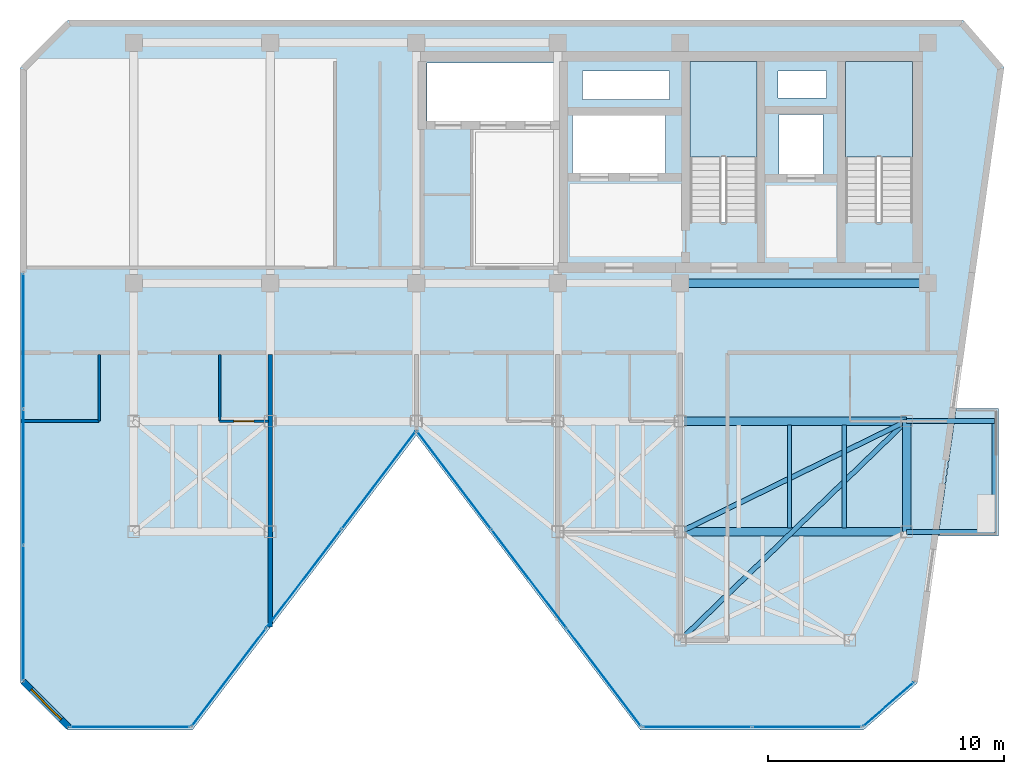
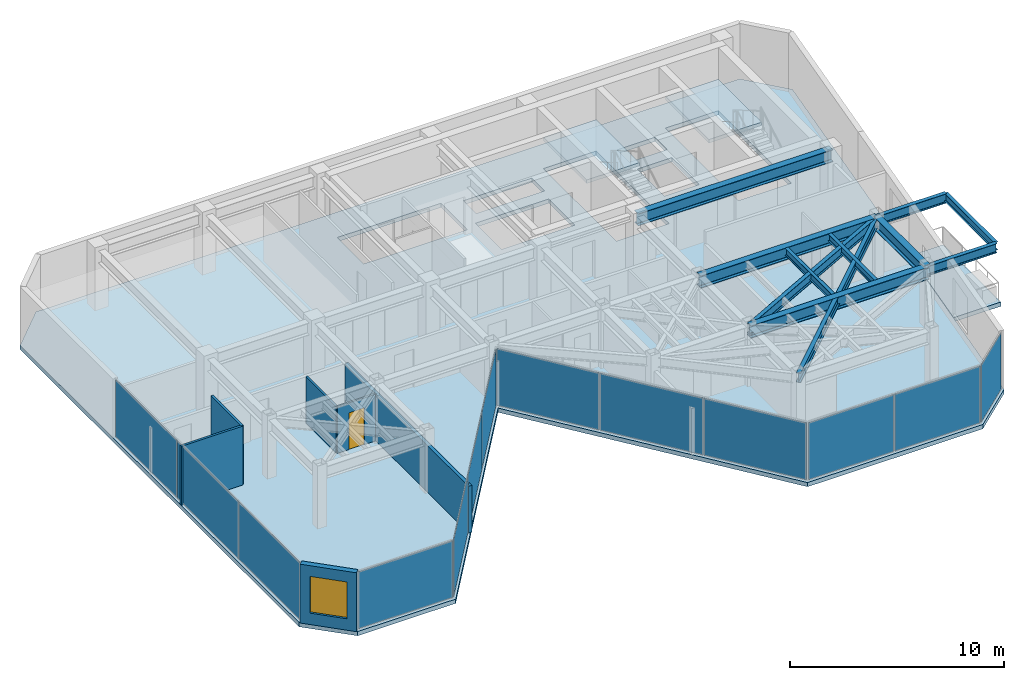
# One storey, part 14 of 19: 13 plates, 11 beams, 6 walls, 4 slabs, 1 door, 1 window, 2 openings, 8 elements without a shape of their own.
"""IFC4 building model written with IfcOpenShell, lengths in metres."""

from ifc_helpers import new_model, si_unit, direction, frame, frame_2d, origin, origin_2d, place, context, subcontext, project, spatial, polyline, rectangle, i_section, outline, extrude, material, layer, layer_set, material_profile, profile_set, type_object, element, fill, aggregate, save


model = new_model("IFC4")

# Units and contexts
model_context = context("Model", 3, precision=1e-05, world=origin(), true_north=direction((0.0, 1.0)))
body_context = subcontext(model_context, "Body", "Model", "MODEL_VIEW")
ifc_project = project(units=[si_unit("LENGTHUNIT", "METRE"), si_unit("AREAUNIT", "SQUARE_METRE"), si_unit("VOLUMEUNIT", "CUBIC_METRE"), si_unit("PLANEANGLEUNIT", "RADIAN"), si_unit("MASSUNIT", "GRAM", prefix="KILO")], contexts=[model_context])

# Site, building, storey
site_placement = place(None, origin())
site = spatial("IfcSite", under=ifc_project, at=site_placement, CompositionType="ELEMENT")
building_placement = place(site_placement, origin())
building = spatial("IfcBuilding", under=site, at=building_placement, Name="Kravanh Interchange Tower", CompositionType="ELEMENT")
storey_placement = place(building_placement, frame((0.0, 0.0, 270.60009765625)))
storey = spatial("IfcBuildingStorey", under=building, at=storey_placement, Name="L66", CompositionType="ELEMENT", Elevation=270.60009765625)

# Beams
ifc_material_1 = material(Name="Structural Steel S355", Category="steel")
ifc_material_profile_1 = material_profile(ifc_material_1, i_section(OverallWidth=0.35498046875, OverallDepth=0.696044921875, WebThickness=0.015380859375, FlangeThickness=0.02490234375, FilletRadius=0.02392578125, at=origin_2d()), Name="W27X146")
ifc_profile_set_1 = profile_set([ifc_material_profile_1], Name="Structural Steel S355")
beam_type_1 = type_object("IfcBeamType", Name="Floor Beam W27X146 Structural Steel S355", PredefinedType="BEAM", material=ifc_profile_set_1)
beam_1_placement = place(storey_placement, frame((56.0, 31.5, 3.011962890625), z_axis=(1.0, 0.0, 0.0), x_axis=(0.0, 1.0, 0.0)))
element("IfcBeam", 1, at=beam_1_placement, inside=storey, type_object=beam_type_1, Name="L66 Primary Floor Girder 12", PredefinedType="BEAM", context=body_context, shape_type="SweptSolid", body=[
    extrude(i_section(OverallWidth=0.35498046875, OverallDepth=0.696044921875, WebThickness=0.015380859375, FlangeThickness=0.02490234375, FilletRadius=0.02392578125, at=origin_2d()), origin(), (0.0, 0.0, 1.0), 9.60009765625),
])
beam_2_placement = place(storey_placement, frame((65.60009765625, 31.5, 3.011962890625), z_axis=(0.0, -1.0, 0.0), x_axis=(1.0, 0.0, 0.0)))
element("IfcBeam", 2, at=beam_2_placement, inside=storey, type_object=beam_type_1, Name="L66 Primary Floor Girder 13", PredefinedType="BEAM", context=body_context, shape_type="SweptSolid", body=[
    extrude(i_section(OverallWidth=0.35498046875, OverallDepth=0.696044921875, WebThickness=0.015380859375, FlangeThickness=0.02490234375, FilletRadius=0.02392578125, at=origin_2d()), origin(), (0.0, 0.0, 1.0), 4.699951171875),
])
beam_3_placement = place(storey_placement, frame((56.0, 26.800048828125, 3.011962890625), z_axis=(1.0, 0.0, 0.0), x_axis=(0.0, 1.0, 0.0)))
element("IfcBeam", 3, at=beam_3_placement, inside=storey, type_object=beam_type_1, Name="L66 Primary Floor Girder 30", PredefinedType="BEAM", context=body_context, shape_type="SweptSolid", body=[
    extrude(i_section(OverallWidth=0.35498046875, OverallDepth=0.696044921875, WebThickness=0.015380859375, FlangeThickness=0.02490234375, FilletRadius=0.02392578125, at=origin_2d()), origin(), (0.0, 0.0, 1.0), 9.60009765625),
])
beam_4_placement = place(storey_placement, frame((66.5, 37.35009765625, 3.011962890625), z_axis=(-1.0, 0.0, 0.0), x_axis=(0.0, -1.0, 0.0)))
element("IfcBeam", 4, at=beam_4_placement, inside=storey, type_object=beam_type_1, Name="L66 Primary Floor Girder 38", PredefinedType="BEAM", context=body_context, shape_type="SweptSolid", body=[
    extrude(i_section(OverallWidth=0.35498046875, OverallDepth=0.696044921875, WebThickness=0.015380859375, FlangeThickness=0.02490234375, FilletRadius=0.02392578125, at=origin_2d()), origin(), (0.0, 0.0, 1.0), 10.5),
])
ifc_material_2 = material(Name="Structural Steel S355", Category="steel")
ifc_material_profile_2 = material_profile(ifc_material_2, i_section(OverallWidth=0.177978515625, OverallDepth=0.406005859375, WebThickness=0.0078125, FlangeThickness=0.0126953125, FilletRadius=0.01611328125, at=origin_2d()), Name="W16X40")
ifc_profile_set_2 = profile_set([ifc_material_profile_2], Name="Structural Steel S355")
beam_type_2 = type_object("IfcBeamType", Name="Floor Joist W16X40 Structural Steel S355", PredefinedType="JOIST", material=ifc_profile_set_2)
for number, where, z_axis, x_axis, name in (
    (5, (60.634033203125, 26.972412109375, 3.156982421875), (0.0, 1.0, 0.0), (-1.0, 0.0, 0.0), "L66 Secondary Floor Joist 11"),
    (6, (62.9580078125, 26.972412109375, 3.156982421875), (0.0, 1.0, 0.0), (-1.0, 0.0, 0.0), "L66 Secondary Floor Joist 12"),
):
    element("IfcBeam", number, at=place(storey_placement, frame(where, z_axis=z_axis, x_axis=x_axis)), inside=storey, type_object=beam_type_2, Name=name, PredefinedType="JOIST", context=body_context, shape_type="SweptSolid", body=[
        extrude(i_section(OverallWidth=0.177978515625, OverallDepth=0.406005859375, WebThickness=0.0078125, FlangeThickness=0.0126953125, FilletRadius=0.01611328125, at=origin_2d()), origin(), (0.0, 0.0, 1.0), 4.35498046875),
    ])
ifc_material_3 = material(Name="Structural Steel S355", Category="steel")
ifc_material_profile_3 = material_profile(ifc_material_3, i_section(OverallWidth=0.18994140625, OverallDepth=0.45703125, WebThickness=0.009033203125, FlangeThickness=0.014404296875, FilletRadius=0.01806640625, at=origin_2d()), Name="W18X50")
ifc_profile_set_3 = profile_set([ifc_material_profile_3], Name="Structural Steel S355")
beam_type_3 = type_object("IfcBeamType", Name="Floor Joist W18X50 Structural Steel S355", PredefinedType="JOIST", material=ifc_profile_set_3)
beam_5_placement = place(storey_placement, frame((69.330078125, 26.800048828125, 3.13134765625), z_axis=(0.0, 1.0, 0.0), x_axis=(-1.0, 0.0, 0.0)))
element("IfcBeam", 7, at=beam_5_placement, inside=storey, type_object=beam_type_3, Name="L66 Balcony Edge Tie Beam E", PredefinedType="JOIST", context=body_context, shape_type="SweptSolid", body=[
    extrude(i_section(OverallWidth=0.18994140625, OverallDepth=0.45703125, WebThickness=0.009033203125, FlangeThickness=0.014404296875, FilletRadius=0.01806640625, at=origin_2d()), origin(), (0.0, 0.0, 1.0), 4.699951171875),
])
ifc_material_4 = material(Name="Structural Steel S355", Category="steel")
ifc_material_profile_4 = material_profile(ifc_material_4, i_section(OverallWidth=0.2099609375, OverallDepth=0.537109375, WebThickness=0.010986328125, FlangeThickness=0.017333984375, FilletRadius=0.02001953125, at=origin_2d()), Name="W21X68")
ifc_profile_set_4 = profile_set([ifc_material_profile_4], Name="Structural Steel S355")
beam_type_4 = type_object("IfcBeamType", Name="Floor Spandrel W21X68 Structural Steel S355", PredefinedType="SPANDREL", material=ifc_profile_set_4)
beam_6_placement = place(storey_placement, frame((65.60009765625, 31.5, 3.09130859375), z_axis=(-0.898141688387, -0.439706160499, 0.0), x_axis=(0.439706160499, -0.898141688387, 0.0)))
element("IfcBeam", 8, at=beam_6_placement, inside=storey, type_object=beam_type_4, Name="L66 Perimeter Spandrel 15", PredefinedType="SPANDREL", context=body_context, shape_type="SweptSolid", body=[
    extrude(i_section(OverallWidth=0.2099609375, OverallDepth=0.537109375, WebThickness=0.010986328125, FlangeThickness=0.017333984375, FilletRadius=0.02001953125, at=origin_2d()), origin(), (0.0, 0.0, 1.0), 10.68896484375),
])
beam_7_placement = place(storey_placement, frame((65.60009765625, 31.5, 3.09130859375), z_axis=(-0.718241934329, -0.695793449072, 0.0), x_axis=(0.695793449072, -0.718241934329, 0.0)))
element("IfcBeam", 9, at=beam_7_placement, inside=storey, type_object=beam_type_4, Name="L66 Perimeter Spandrel 16", PredefinedType="SPANDREL", context=body_context, shape_type="SweptSolid", body=[
    extrude(i_section(OverallWidth=0.2099609375, OverallDepth=0.537109375, WebThickness=0.010986328125, FlangeThickness=0.017333984375, FilletRadius=0.02001953125, at=origin_2d()), origin(), (0.0, 0.0, 1.0), 13.3662109375),
])
for number, where, z_axis, x_axis, name in (
    (10, (65.60009765625, 26.800048828125, 3.09130859375), (1.0, 0.0, 0.0), (0.0, 1.0, 0.0), "L66 Balcony Cantilever Outrigger E1"),
    (11, (65.60009765625, 31.5, 3.09130859375), (1.0, 0.0, 0.0), (0.0, 1.0, 0.0), "L66 Balcony Cantilever Outrigger E2"),
):
    element("IfcBeam", number, at=place(storey_placement, frame(where, z_axis=z_axis, x_axis=x_axis)), inside=storey, type_object=beam_type_4, Name=name, PredefinedType="SPANDREL", context=body_context, shape_type="SweptSolid", body=[
        extrude(i_section(OverallWidth=0.2099609375, OverallDepth=0.537109375, WebThickness=0.010986328125, FlangeThickness=0.017333984375, FilletRadius=0.02001953125, at=origin_2d()), origin(), (0.0, 0.0, 1.0), 3.72998046875),
    ])

# Curtain wall, plates
ifc_material_5 = material(Name="Anodised Bronze Aluminium", Category="aluminium")
ifc_layer_1 = layer(ifc_material_5, 0.179931640625)
ifc_layer_set_1 = layer_set([ifc_layer_1], Name="Unitised Curtain Wall System CW-HTL Luxury Hotel")
curtain_wall_type = type_object("IfcCurtainWallType", Name="Unitised Curtain Wall System CW-HTL Luxury Hotel", PredefinedType="NOTDEFINED", material=ifc_layer_set_1)
curtain_wall_1_placement = place(storey_placement, origin())
curtain_wall_1 = element("IfcCurtainWall", 12, at=curtain_wall_1_placement, inside=storey, type_object=curtain_wall_type, Name="L66 Unitised Curtain Wall CW-L66-01", PredefinedType="NOTDEFINED")
ifc_material_6 = material(Name="Low-E Laminated Architectural Glass", Category="glass")
ifc_layer_2 = layer(ifc_material_6, 0.030029296875)
ifc_layer_set_2 = layer_set([ifc_layer_2], Name="Acoustic Laminated Glazing 30mm")
plate_type = type_object("IfcPlateType", Name="Acoustic Laminated Glazing 30mm", PredefinedType="CURTAIN_PANEL", material=ifc_layer_set_2)
plate_1_placement = place(storey_placement, frame((28.1201171875, 23.3564453125, 0.06005859375), z_axis=(0.0, 0.0, 1.0), x_axis=(0.0, 1.0, 0.0)))
plate_1 = element("IfcPlate", 13, at=plate_1_placement, type_object=plate_type, Name="CW-HTL panel 1.1", PredefinedType="CURTAIN_PANEL", context=body_context, shape_type="SweptSolid", body=[
    extrude(rectangle(XDim=5.693359375, YDim=0.030029296875, at=origin_2d()), origin(), (0.0, 0.0, 1.0), 3.239990234375),
])
plate_2_placement = place(storey_placement, frame((28.1201171875, 29.124755859375, 0.06005859375), z_axis=(0.0, 0.0, 1.0), x_axis=(0.0, 1.0, 0.0)))
plate_2 = element("IfcPlate", 14, at=plate_2_placement, type_object=plate_type, Name="CW-HTL panel 2.1", PredefinedType="CURTAIN_PANEL", context=body_context, shape_type="SweptSolid", body=[
    extrude(rectangle(XDim=5.723388671875, YDim=0.030029296875, at=origin_2d()), origin(), (0.0, 0.0, 1.0), 3.239990234375),
])
plate_3_placement = place(storey_placement, frame((28.1201171875, 34.893310546875, 0.06005859375), z_axis=(0.0, 0.0, 1.0), x_axis=(0.0, 1.0, 0.0)))
plate_3 = element("IfcPlate", 15, at=plate_3_placement, type_object=plate_type, Name="CW-HTL panel 3.1", PredefinedType="CURTAIN_PANEL", context=body_context, shape_type="SweptSolid", body=[
    extrude(rectangle(XDim=5.693359375, YDim=0.030029296875, at=origin_2d()), origin(), (0.0, 0.0, 1.0), 3.239990234375),
])
aggregate(curtain_wall_1, [plate_1, plate_2, plate_3])

# Curtain wall, plate
curtain_wall_2_placement = place(storey_placement, origin())
curtain_wall_2 = element("IfcCurtainWall", 16, at=curtain_wall_2_placement, inside=storey, type_object=curtain_wall_type, Name="L66 Unitised Curtain Wall CW-L66-02", PredefinedType="NOTDEFINED")
plate_4_placement = place(storey_placement, frame((64.830078125, 19.480712890625, 0.06005859375), z_axis=(0.0, 0.0, 1.0), x_axis=(-0.75473192521, -0.656033323139, 0.0)))
plate_4 = element("IfcPlate", 17, at=plate_4_placement, type_object=plate_type, Name="CW-HTL panel 1.1", PredefinedType="CURTAIN_PANEL", context=body_context, shape_type="SweptSolid", body=[
    extrude(rectangle(XDim=2.80908203125, YDim=0.030029296875, at=origin_2d()), origin(), (0.0, 0.0, 1.0), 3.239990234375),
])
aggregate(curtain_wall_2, [plate_4])

# Curtain wall, plates
curtain_wall_3_placement = place(storey_placement, origin())
curtain_wall_3 = element("IfcCurtainWall", 18, at=curtain_wall_3_placement, inside=storey, type_object=curtain_wall_type, Name="L66 Unitised Curtain Wall CW-L66-03", PredefinedType="NOTDEFINED")
plate_5_placement = place(storey_placement, frame((61.368408203125, 18.52001953125, 0.06005859375), z_axis=(0.0, 0.0, 1.0), x_axis=(-1.0, 0.0, 0.0)))
plate_5 = element("IfcPlate", 19, at=plate_5_placement, type_object=plate_type, Name="CW-HTL panel 1.1", PredefinedType="CURTAIN_PANEL", context=body_context, shape_type="SweptSolid", body=[
    extrude(rectangle(XDim=4.592529296875, YDim=0.030029296875, at=origin_2d()), origin(), (0.0, 0.0, 1.0), 3.239990234375),
])
plate_6_placement = place(storey_placement, frame((56.7158203125, 18.52001953125, 0.06005859375), z_axis=(0.0, 0.0, 1.0), x_axis=(-1.0, 0.0, 0.0)))
plate_6 = element("IfcPlate", 20, at=plate_6_placement, type_object=plate_type, Name="CW-HTL panel 2.1", PredefinedType="CURTAIN_PANEL", context=body_context, shape_type="SweptSolid", body=[
    extrude(rectangle(XDim=4.592529296875, YDim=0.030029296875, at=origin_2d()), origin(), (0.0, 0.0, 1.0), 3.239990234375),
])
aggregate(curtain_wall_3, [plate_5, plate_6])

curtain_wall_4_placement = place(storey_placement, origin())
curtain_wall_4 = element("IfcCurtainWall", 21, at=curtain_wall_4_placement, inside=storey, type_object=curtain_wall_type, Name="L66 Unitised Curtain Wall CW-L66-04", PredefinedType="NOTDEFINED")
plate_7_placement = place(storey_placement, frame((52.757080078125, 20.62841796875, 0.06005859375), z_axis=(0.0, 0.0, 1.0), x_axis=(-0.605082946564, 0.79616243806, 0.0)))
plate_7 = element("IfcPlate", 22, at=plate_7_placement, type_object=plate_type, Name="CW-HTL panel 1.1", PredefinedType="CURTAIN_PANEL", context=body_context, shape_type="SweptSolid", body=[
    extrude(rectangle(XDim=5.17626953125, YDim=0.030029296875, at=origin_2d()), origin(), (0.0, 0.0, 1.0), 3.239990234375),
])
plate_8_placement = place(storey_placement, frame((49.579833984375, 24.80908203125, 0.06005859375), z_axis=(0.0, 0.0, 1.0), x_axis=(-0.605082946564, 0.79616243806, 0.0)))
plate_8 = element("IfcPlate", 23, at=plate_8_placement, type_object=plate_type, Name="CW-HTL panel 2.1", PredefinedType="CURTAIN_PANEL", context=body_context, shape_type="SweptSolid", body=[
    extrude(rectangle(XDim=5.206298828125, YDim=0.030029296875, at=origin_2d()), origin(), (0.0, 0.0, 1.0), 3.239990234375),
])
plate_9_placement = place(storey_placement, frame((46.40234375, 28.989990234375, 0.06005859375), z_axis=(0.0, 0.0, 1.0), x_axis=(-0.605082946564, 0.79616243806, 0.0)))
plate_9 = element("IfcPlate", 24, at=plate_9_placement, type_object=plate_type, Name="CW-HTL panel 3.1", PredefinedType="CURTAIN_PANEL", context=body_context, shape_type="SweptSolid", body=[
    extrude(rectangle(XDim=5.17626953125, YDim=0.030029296875, at=origin_2d()), origin(), (0.0, 0.0, 1.0), 3.239990234375),
])
aggregate(curtain_wall_4, [plate_7, plate_8, plate_9])

curtain_wall_5_placement = place(storey_placement, origin())
curtain_wall_5 = element("IfcCurtainWall", 25, at=curtain_wall_5_placement, inside=storey, type_object=curtain_wall_type, Name="L66 Unitised Curtain Wall CW-L66-05", PredefinedType="NOTDEFINED")
plate_10_placement = place(storey_placement, frame((43.19775390625, 28.989990234375, 0.06005859375), z_axis=(0.0, 0.0, 1.0), x_axis=(-0.605082946564, -0.79616243806, 0.0)))
plate_10 = element("IfcPlate", 26, at=plate_10_placement, type_object=plate_type, Name="CW-HTL panel 1.1", PredefinedType="CURTAIN_PANEL", context=body_context, shape_type="SweptSolid", body=[
    extrude(rectangle(XDim=5.17626953125, YDim=0.030029296875, at=origin_2d()), origin(), (0.0, 0.0, 1.0), 3.239990234375),
])
plate_11_placement = place(storey_placement, frame((40.020263671875, 24.80908203125, 0.06005859375), z_axis=(0.0, 0.0, 1.0), x_axis=(-0.605082946564, -0.79616243806, 0.0)))
plate_11 = element("IfcPlate", 27, at=plate_11_placement, type_object=plate_type, Name="CW-HTL panel 2.1", PredefinedType="CURTAIN_PANEL", context=body_context, shape_type="SweptSolid", body=[
    extrude(rectangle(XDim=5.206298828125, YDim=0.030029296875, at=origin_2d()), origin(), (0.0, 0.0, 1.0), 3.239990234375),
])
plate_12_placement = place(storey_placement, frame((36.8427734375, 20.62841796875, 0.06005859375), z_axis=(0.0, 0.0, 1.0), x_axis=(-0.605082946564, -0.79616243806, 0.0)))
plate_12 = element("IfcPlate", 28, at=plate_12_placement, type_object=plate_type, Name="CW-HTL panel 3.1", PredefinedType="CURTAIN_PANEL", context=body_context, shape_type="SweptSolid", body=[
    extrude(rectangle(XDim=5.17626953125, YDim=0.030029296875, at=origin_2d()), origin(), (0.0, 0.0, 1.0), 3.239990234375),
])
aggregate(curtain_wall_5, [plate_10, plate_11, plate_12])

# Curtain wall, plate
curtain_wall_6_placement = place(storey_placement, origin())
curtain_wall_6 = element("IfcCurtainWall", 29, at=curtain_wall_6_placement, inside=storey, type_object=curtain_wall_type, Name="L66 Unitised Curtain Wall CW-L66-06", PredefinedType="NOTDEFINED")
plate_13_placement = place(storey_placement, frame((32.64501953125, 18.52001953125, 0.06005859375), z_axis=(0.0, 0.0, 1.0), x_axis=(-1.0, 0.0, 0.0)))
plate_13 = element("IfcPlate", 30, at=plate_13_placement, type_object=plate_type, Name="CW-HTL panel 1.1", PredefinedType="CURTAIN_PANEL", context=body_context, shape_type="SweptSolid", body=[
    extrude(rectangle(XDim=5.07080078125, YDim=0.030029296875, at=origin_2d()), origin(), (0.0, 0.0, 1.0), 3.239990234375),
])
aggregate(curtain_wall_6, [plate_13])

# Slab
ifc_material_7 = material(Name="Concrete C50/60", Category="concrete")
ifc_layer_3 = layer(ifc_material_7, 0.239990234375)
ifc_layer_set_3 = layer_set([ifc_layer_3], Name="Composite Floor Slab Concrete C50/60 240mm")
slab_type_1 = type_object("IfcSlabType", Name="Composite Floor Slab Concrete C50/60 240mm", PredefinedType="FLOOR", material=ifc_layer_set_3)
slab_1_placement = place(storey_placement, frame((0.0, 0.0, -0.239990234375)))
element("IfcSlab", 31, at=slab_1_placement, inside=storey, type_object=slab_type_1, Name="L66 Structural Floor Slab", PredefinedType="FLOOR", context=body_context, shape_type="SweptSolid", body=[
    extrude(outline(polyline([(28.0, 20.39990234375), (30.0, 18.39990234375), (35.300048828125, 18.39990234375), (44.800048828125, 30.89990234375), (54.300048828125, 18.39990234375), (63.769775390625, 18.39990234375), (66.048095703125, 20.380615234375), (69.7216796875, 46.51953125), (68.0, 48.5), (30.0, 48.5), (28.0, 46.5), (28.0, 20.39990234375)]), holes=[polyline([(65.85009765625, 39.925048828125), (65.85009765625, 46.75), (63.0, 46.75), (63.0, 39.925048828125), (65.85009765625, 39.925048828125)]), polyline([(59.25, 39.925048828125), (59.25, 46.75), (56.39990234375, 46.75), (56.39990234375, 39.925048828125), (59.25, 39.925048828125)]), polyline([(45.239990234375, 44.219970703125), (50.840087890625, 44.219970703125), (50.840087890625, 46.699951171875), (45.239990234375, 46.699951171875), (45.239990234375, 44.219970703125)]), polyline([(51.419921875, 42.02001953125), (55.3798828125, 42.02001953125), (55.3798828125, 44.47998046875), (51.419921875, 44.47998046875), (51.419921875, 42.02001953125)]), polyline([(60.179931640625, 41.97998046875), (62.06005859375, 41.97998046875), (62.06005859375, 44.52001953125), (60.179931640625, 44.52001953125), (60.179931640625, 41.97998046875)]), polyline([(60.14990234375, 45.199951171875), (62.199951171875, 45.199951171875), (62.199951171875, 46.35009765625), (60.14990234375, 46.35009765625), (60.14990234375, 45.199951171875)]), polyline([(51.85009765625, 45.14990234375), (55.550048828125, 45.14990234375), (55.550048828125, 46.35009765625), (51.85009765625, 46.35009765625), (51.85009765625, 45.14990234375)])]), origin(), (0.0, 0.0, 1.0), 0.239990234375),
])

# Stair, slab
ifc_material_8 = material(Name="Concrete C50/60", Category="concrete")
stair_type = type_object("IfcStairType", Name="Core Fire Exit Dogleg Stair Concrete C50/60", PredefinedType="HALF_TURN_STAIR", material=ifc_material_8)
stair_1_placement = place(storey_placement, origin())
stair_1 = element("IfcStair", 32, at=stair_1_placement, inside=storey, type_object=stair_type, Name="L66 Exit Stair ST1", PredefinedType="HALF_TURN_STAIR")
ifc_material_9 = material(Name="Concrete C50/60", Category="concrete")
ifc_layer_4 = layer(ifc_material_9, 0.199951171875)
ifc_layer_set_4 = layer_set([ifc_layer_4], Name="Concrete C50/60 Stair Half-Landing Slab 200mm")
slab_type_2 = type_object("IfcSlabType", Name="Concrete C50/60 Stair Half-Landing Slab 200mm", PredefinedType="LANDING", material=ifc_layer_set_4)
slab_2_placement = place(storey_placement, frame((0.0, 0.0, 1.599853515625)))
slab_2 = element("IfcSlab", 33, at=slab_2_placement, type_object=slab_type_2, Name="ST1 landing 1", PredefinedType="LANDING", context=body_context, shape_type="SweptSolid", body=[
    extrude(outline(polyline([(65.85009765625, 42.699951171875), (65.85009765625, 46.75), (63.0, 46.75), (63.0, 42.699951171875), (65.85009765625, 42.699951171875)])), origin(), (0.0, 0.0, 1.0), 0.199951171875),
])
aggregate(stair_1, [slab_2])

stair_2_placement = place(storey_placement, origin())
stair_2 = element("IfcStair", 34, at=stair_2_placement, inside=storey, type_object=stair_type, Name="L66 Exit Stair ST2", PredefinedType="HALF_TURN_STAIR")
slab_3_placement = place(storey_placement, frame((0.0, 0.0, 1.599853515625)))
slab_3 = element("IfcSlab", 35, at=slab_3_placement, type_object=slab_type_2, Name="ST2 landing 1", PredefinedType="LANDING", context=body_context, shape_type="SweptSolid", body=[
    extrude(outline(polyline([(59.25, 42.699951171875), (59.25, 46.75), (56.39990234375, 46.75), (56.39990234375, 42.699951171875), (59.25, 42.699951171875)])), origin(), (0.0, 0.0, 1.0), 0.199951171875),
])
aggregate(stair_2, [slab_3])

# Slab
ifc_material_10 = material(Name="Concrete C50/60", Category="concrete")
ifc_layer_5 = layer(ifc_material_10, 0.199951171875)
ifc_layer_set_5 = layer_set([ifc_layer_5], Name="Planted Tree Balcony Slab Concrete C50/60 200mm")
slab_type_3 = type_object("IfcSlabType", Name="Planted Tree Balcony Slab Concrete C50/60 200mm", PredefinedType="USERDEFINED", material=ifc_layer_set_5)
slab_4_placement = place(storey_placement, frame((0.0, 0.0, -0.239990234375)))
element("IfcSlab", 36, at=slab_4_placement, inside=storey, type_object=slab_type_3, Name="L66 East Tree Planter Balcony Slab", ObjectType="BALCONY", PredefinedType="USERDEFINED", context=body_context, shape_type="SweptSolid", body=[
    extrude(outline(polyline([(69.489990234375, 32.030029296875), (69.489990234375, 26.6298828125), (66.941650390625, 26.6298828125), (67.700439453125, 32.030029296875), (69.489990234375, 32.030029296875)])), origin(), (0.0, 0.0, 1.0), 0.239990234375),
])

# Walls
ifc_material_11 = material(Name="Double Acoustic Gypsum Board and Mineral Wool")
ifc_layer_6 = layer(ifc_material_11, 0.1201171875)
ifc_layer_set_6 = layer_set([ifc_layer_6], Name="Acoustic Office Drywall Partition 120mm")
wall_type_1 = type_object("IfcWallType", Name="Acoustic Office Drywall Partition 120mm", PredefinedType="PARTITIONING", material=ifc_layer_set_6)
wall_1_placement = place(storey_placement, frame((31.340087890625, 31.5, 0.0), z_axis=(0.0, 0.0, 1.0), x_axis=(0.0, 1.0, 0.0)))
element("IfcWall", 37, at=wall_1_placement, inside=storey, type_object=wall_type_1, Name="L66 Interior Partition 15", PredefinedType="PARTITIONING", context=body_context, shape_type="SweptSolid", body=[
    extrude(rectangle(XDim=2.83203125, YDim=0.1201171875, at=frame_2d((1.416015625, 0.0))), origin(), (0.0, 0.0, 1.0), 3.35986328125),
])
wall_2_placement = place(storey_placement, frame((28.014892578125, 31.5, 0.0), z_axis=(0.0, 0.0, 1.0), x_axis=(1.0, 0.0, 0.0)))
element("IfcWall", 38, at=wall_2_placement, inside=storey, type_object=wall_type_1, Name="L66 Interior Partition 16", PredefinedType="PARTITIONING", context=body_context, shape_type="SweptSolid", body=[
    extrude(rectangle(XDim=3.3251953125, YDim=0.1201171875, at=frame_2d((1.66259765625, 0.0))), origin(), (0.0, 0.0, 1.0), 3.35986328125),
])
ifc_material_12 = material(Name="Moisture-Resistant Gypsum Board and Mineral Wool")
ifc_layer_7 = layer(ifc_material_12, 0.10009765625)
ifc_layer_set_7 = layer_set([ifc_layer_7], Name="En-Suite Moisture-Resistant Partition 100mm")
wall_type_2 = type_object("IfcWallType", Name="En-Suite Moisture-Resistant Partition 100mm", PredefinedType="PARTITIONING", material=ifc_layer_set_7)
wall_3_placement = place(storey_placement, frame((36.449951171875, 31.5, 0.0), z_axis=(0.0, 0.0, 1.0), x_axis=(0.0, 1.0, 0.0)))
element("IfcWall", 39, at=wall_3_placement, inside=storey, type_object=wall_type_2, Name="L66 Interior Partition 19", PredefinedType="PARTITIONING", context=body_context, shape_type="SweptSolid", body=[
    extrude(rectangle(XDim=2.83203125, YDim=0.10009765625, at=frame_2d((1.416015625, 0.0))), origin(), (0.0, 0.0, 1.0), 2.663818359375),
])

# Wall, opening, door
wall_4_placement = place(storey_placement, frame((36.449951171875, 31.5, 0.0), z_axis=(0.0, 0.0, 1.0), x_axis=(1.0, 0.0, 0.0)))
wall_4 = element("IfcWall", 40, at=wall_4_placement, inside=storey, type_object=wall_type_2, Name="L66 Interior Partition 20", PredefinedType="PARTITIONING", context=body_context, shape_type="SweptSolid", body=[
    extrude(rectangle(XDim=2.08203125, YDim=0.10009765625, at=frame_2d((1.041015625, 0.0))), origin(), (0.0, 0.0, 1.0), 2.663818359375),
])
opening_1_placement = place(wall_4_placement, frame((0.607421875, 0.0, 0.0)))
opening_1 = element("IfcOpeningElement", 41, at=opening_1_placement, cuts=wall_4, Name="Opening D-85", PredefinedType="OPENING", context=body_context, shape_type="SweptSolid", body=[
    extrude(rectangle(XDim=0.85009765625, YDim=2.10009765625, at=frame_2d((0.425048828125, 1.050048828125))), frame((0.0, 0.06005859375, 0.0), z_axis=(0.0, -1.0, 0.0), x_axis=(1.0, 0.0, 0.0)), (0.0, 0.0, 1.0), 0.1201171875),
])
ifc_material_13 = material(Name="Engineered Teak Veneer Timber", Category="wood")
door_type = type_object("IfcDoorType", Name="En-Suite Timber Door 850x2100", OperationType="NOTDEFINED", PredefinedType="DOOR", material=ifc_material_13)
door_placement = place(opening_1_placement, origin())
door = element("IfcDoor", 42, at=door_placement, inside=storey, type_object=door_type, Name="L66 En-suite Bathroom Door", OperationType="SINGLE_SWING_LEFT", OverallHeight=2.10009765625, OverallWidth=0.85009765625, PredefinedType="DOOR", context=body_context, shape_type="SweptSolid", body=[
    extrude(rectangle(XDim=0.85009765625, YDim=2.10009765625, at=frame_2d((0.425048828125, 1.050048828125))), frame((0.0, 0.02490234375, 0.0), z_axis=(0.0, -1.0, 0.0), x_axis=(1.0, 0.0, 0.0)), (0.0, 0.0, 1.0), 0.050048828125),
])
fill(opening_1, door)

# Wall, opening, window
ifc_material_14 = material(Name="Insulated Precast Concrete C40/50 with Bronze Cladding", Category="concrete")
ifc_layer_8 = layer(ifc_material_14, 0.280029296875)
ifc_layer_set_8 = layer_set([ifc_layer_8], Name="Exterior Insulated Concrete C40/50 Bronze Spandrel Wall 280mm")
wall_type_3 = type_object("IfcWallType", Name="Exterior Insulated Concrete C40/50 Bronze Spandrel Wall 280mm", PredefinedType="STANDARD", material=ifc_layer_set_8)
wall_5_placement = place(storey_placement, frame((30.0498046875, 18.52001953125, 0.0), z_axis=(0.0, 0.0, 1.0), x_axis=(-0.707106781187, 0.707106781187, 0.0)))
wall_5 = element("IfcWall", 43, at=wall_5_placement, inside=storey, type_object=wall_type_3, Name="L66 Exterior Wall 7", PredefinedType="STANDARD", context=body_context, shape_type="SweptSolid", body=[
    extrude(rectangle(XDim=2.72900390625, YDim=0.280029296875, at=frame_2d((1.364501953125, 0.0))), origin(), (0.0, 0.0, 1.0), 3.35986328125),
])
opening_2_placement = place(wall_5_placement, frame((0.455078125, 0.0, 0.64990234375)))
opening_2 = element("IfcOpeningElement", 44, at=opening_2_placement, cuts=wall_5, Name="Opening WN-180X210", PredefinedType="OPENING", context=body_context, shape_type="SweptSolid", body=[
    extrude(rectangle(XDim=1.800048828125, YDim=2.10009765625, at=frame_2d((0.89990234375, 1.050048828125))), frame((0.0, 0.14990234375, 0.0), z_axis=(0.0, -1.0, 0.0), x_axis=(1.0, 0.0, 0.0)), (0.0, 0.0, 1.0), 0.300048828125),
])
ifc_material_15 = material(Name="Thermally Broken Bronze Aluminium and Low-E Glass", Category="aluminium")
window_type = type_object("IfcWindowType", Name="Tower Pier Window 1800x2100", PartitioningType="SINGLE_PANEL", PredefinedType="WINDOW", material=ifc_material_15)
window_placement = place(opening_2_placement, origin())
window = element("IfcWindow", 45, at=window_placement, inside=storey, type_object=window_type, Name="L66 Corner Window 7", OverallHeight=2.10009765625, OverallWidth=1.800048828125, PartitioningType="SINGLE_PANEL", PredefinedType="WINDOW", context=body_context, shape_type="SweptSolid", body=[
    extrude(rectangle(XDim=1.800048828125, YDim=2.10009765625, at=frame_2d((0.89990234375, 1.050048828125))), frame((0.0, 0.030029296875, 0.0), z_axis=(0.0, -1.0, 0.0), x_axis=(1.0, 0.0, 0.0)), (0.0, 0.0, 1.0), 0.06005859375),
])
fill(opening_2, window)

# Wall
ifc_material_16 = material(Name="Autoclaved Aerated Concrete C30/37 Blockwork", Category="masonry")
ifc_layer_9 = layer(ifc_material_16, 0.179931640625)
ifc_layer_set_9 = layer_set([ifc_layer_9], Name="Fire-Rated Lobby and Corridor Wall Concrete C30/37 180mm")
wall_type_4 = type_object("IfcWallType", Name="Fire-Rated Lobby and Corridor Wall Concrete C30/37 180mm", PredefinedType="STANDARD", material=ifc_layer_set_9)
wall_6_placement = place(storey_placement, frame((38.60009765625, 22.766845703125, 0.0), z_axis=(0.0, 0.0, 1.0), x_axis=(0.0, 1.0, 0.0)))
element("IfcWall", 46, at=wall_6_placement, inside=storey, type_object=wall_type_4, Name="L66 Interior Partition 21", PredefinedType="STANDARD", context=body_context, shape_type="SweptSolid", body=[
    extrude(rectangle(XDim=11.565185546875, YDim=0.179931640625, at=frame_2d((5.78271484375, 0.0))), origin(), (0.0, 0.0, 1.0), 2.663818359375),
])

save(model, "model.ifc")
